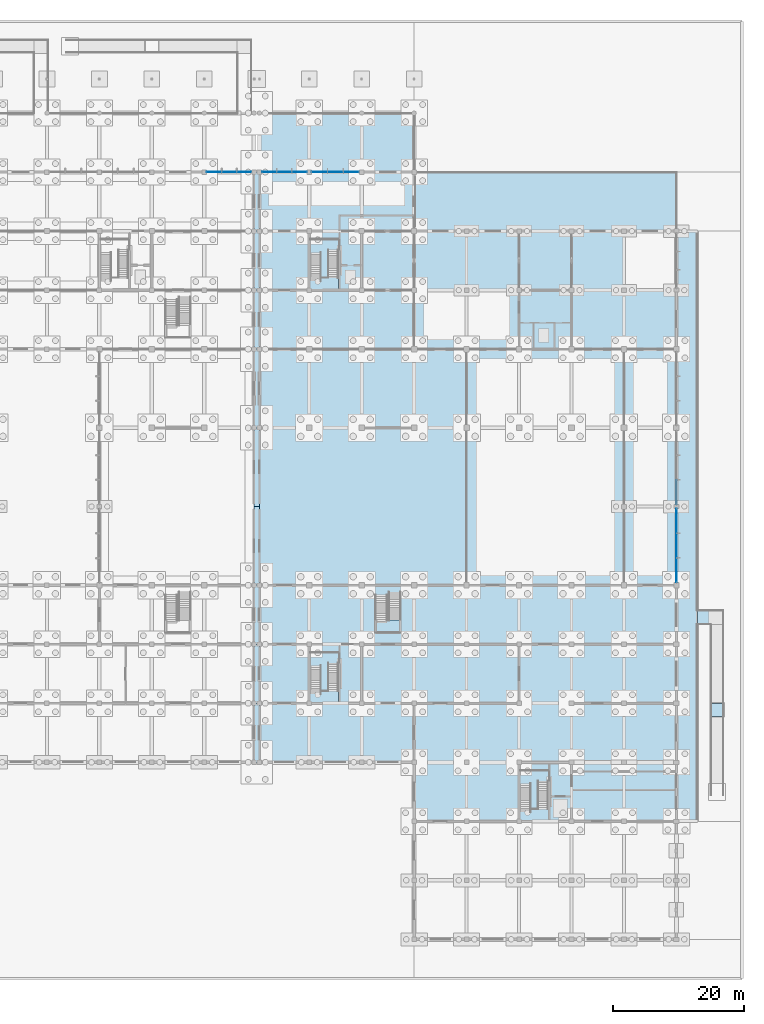
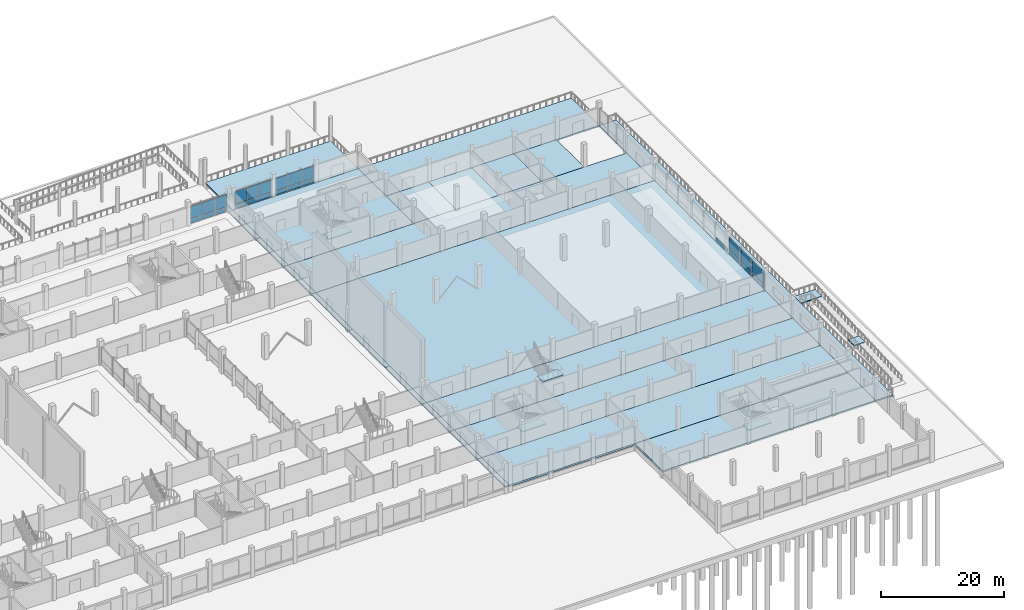
# One storey, part 38 of 72: 29 slabs, 25 plates, 10 elements without a shape of their own.
"""IFC4 building model written with IfcOpenShell, lengths in metres."""

from ifc_helpers import new_model, si_unit, direction, frame, origin, origin_2d, place, context, subcontext, project, spatial, polyline, rectangle, outline, extrude, material, layer, layer_set, type_object, element, aggregate, save


model = new_model("IFC4")

# Units and contexts
model_context = context("Model", 3, precision=1e-05, world=origin(), true_north=direction((0.0, 1.0)))
body_context = subcontext(model_context, "Body", "Model", "MODEL_VIEW")
ifc_project = project(units=[si_unit("LENGTHUNIT", "METRE"), si_unit("AREAUNIT", "SQUARE_METRE"), si_unit("VOLUMEUNIT", "CUBIC_METRE"), si_unit("PLANEANGLEUNIT", "RADIAN"), si_unit("MASSUNIT", "GRAM", prefix="KILO"), si_unit("THERMODYNAMICTEMPERATUREUNIT", "KELVIN"), si_unit("POWERUNIT", "WATT")], contexts=[model_context])

# Site, building, storey
site_placement = place(None, origin())
site = spatial("IfcSite", under=ifc_project, at=site_placement, CompositionType="ELEMENT")
building_placement = place(site_placement, origin())
building = spatial("IfcBuilding", under=site, at=building_placement, Name="Kronsvod Quay Wholesale Market", CompositionType="ELEMENT")
storey_placement = place(building_placement, origin())
storey = spatial("IfcBuildingStorey", under=building, at=storey_placement, Name="L00", CompositionType="ELEMENT", Elevation=0.0)

# Curtain wall, plates
ifc_material_1 = material(Name="Thermally broken aluminium and triple low-E glazing", Category="aluminium")
curtain_wall_type_1 = type_object("IfcCurtainWallType", Name="CW_Colonnade76x39", PredefinedType="NOTDEFINED", material=ifc_material_1)
curtain_wall_1_placement = place(storey_placement, origin())
curtain_wall_1 = element("IfcCurtainWall", 1, at=curtain_wall_1_placement, inside=storey, type_object=curtain_wall_type_1, Name="CWGX-L00-1200-1170", PredefinedType="NOTDEFINED")
ifc_material_2 = material(Name="Insulated aluminium spandrel panel", Category="aluminium")
ifc_layer_1 = layer(ifc_material_2, 0.048095703125)
ifc_layer_set_1 = layer_set([ifc_layer_1], Name="Insulated aluminium spandrel panel")
plate_type_1 = type_object("IfcPlateType", Name="CWPanel_SP2206x820", PredefinedType="CURTAIN_PANEL", material=ifc_layer_set_1)
plate_1_placement = place(storey_placement, frame((126.087158203125, 117.0, 0.1201171875), z_axis=(0.0, 0.0, 1.0), x_axis=(-1.0, 0.0, 0.0)))
plate_1 = element("IfcPlate", 2, at=plate_1_placement, type_object=plate_type_1, Name="CWGX-L00-1200-1170-PS1", PredefinedType="CURTAIN_PANEL", context=body_context, shape_type="SweptSolid", body=[
    extrude(rectangle(XDim=2.2060546875, YDim=0.048095703125, at=origin_2d()), origin(), (0.0, 0.0, 1.0), 0.820068359375),
])
plate_2_placement = place(storey_placement, frame((121.512939453125, 117.0, 0.1201171875), z_axis=(0.0, 0.0, 1.0), x_axis=(-1.0, 0.0, 0.0)))
plate_2 = element("IfcPlate", 3, at=plate_2_placement, type_object=plate_type_1, Name="CWGX-L00-1200-1170-PS3", PredefinedType="CURTAIN_PANEL", context=body_context, shape_type="SweptSolid", body=[
    extrude(rectangle(XDim=2.2060546875, YDim=0.048095703125, at=origin_2d()), origin(), (0.0, 0.0, 1.0), 0.820068359375),
])

curtain_wall_2_placement = place(storey_placement, origin())
curtain_wall_2 = element("IfcCurtainWall", 4, at=curtain_wall_2_placement, inside=storey, type_object=curtain_wall_type_1, Name="CWGX-L00-1284-1170", PredefinedType="NOTDEFINED")
plate_3_placement = place(storey_placement, frame((134.487060546875, 117.0, 0.1201171875), z_axis=(0.0, 0.0, 1.0), x_axis=(-1.0, 0.0, 0.0)))
plate_3 = element("IfcPlate", 5, at=plate_3_placement, type_object=plate_type_1, Name="CWGX-L00-1284-1170-PS1", PredefinedType="CURTAIN_PANEL", context=body_context, shape_type="SweptSolid", body=[
    extrude(rectangle(XDim=2.2060546875, YDim=0.048095703125, at=origin_2d()), origin(), (0.0, 0.0, 1.0), 0.820068359375),
])
plate_4_placement = place(storey_placement, frame((129.912841796875, 117.0, 0.1201171875), z_axis=(0.0, 0.0, 1.0), x_axis=(-1.0, 0.0, 0.0)))
plate_4 = element("IfcPlate", 6, at=plate_4_placement, type_object=plate_type_1, Name="CWGX-L00-1284-1170-PS3", PredefinedType="CURTAIN_PANEL", context=body_context, shape_type="SweptSolid", body=[
    extrude(rectangle(XDim=2.2060546875, YDim=0.048095703125, at=origin_2d()), origin(), (0.0, 0.0, 1.0), 0.820068359375),
])

# Plate
ifc_material_3 = material(Name="Insulated aluminium spandrel panel", Category="aluminium")
ifc_layer_2 = layer(ifc_material_3, 0.048095703125)
ifc_layer_set_2 = layer_set([ifc_layer_2], Name="Insulated aluminium spandrel panel")
plate_type_2 = type_object("IfcPlateType", Name="CWPanel_SP2238x820", PredefinedType="CURTAIN_PANEL", material=ifc_layer_set_2)
plate_5_placement = place(storey_placement, frame((123.800048828125, 117.0, 0.1201171875), z_axis=(0.0, 0.0, 1.0), x_axis=(-1.0, 0.0, 0.0)))
plate_5 = element("IfcPlate", 7, at=plate_5_placement, type_object=plate_type_2, Name="CWGX-L00-1200-1170-PS2", PredefinedType="CURTAIN_PANEL", context=body_context, shape_type="SweptSolid", body=[
    extrude(rectangle(XDim=2.238037109375, YDim=0.048095703125, at=origin_2d()), origin(), (0.0, 0.0, 1.0), 0.820068359375),
])

plate_6_placement = place(storey_placement, frame((132.199951171875, 117.0, 0.1201171875), z_axis=(0.0, 0.0, 1.0), x_axis=(-1.0, 0.0, 0.0)))
plate_6 = element("IfcPlate", 8, at=plate_6_placement, type_object=plate_type_2, Name="CWGX-L00-1284-1170-PS2", PredefinedType="CURTAIN_PANEL", context=body_context, shape_type="SweptSolid", body=[
    extrude(rectangle(XDim=2.238037109375, YDim=0.048095703125, at=origin_2d()), origin(), (0.0, 0.0, 1.0), 0.820068359375),
])

# Curtain wall, plates
ifc_material_4 = material(Name="Thermally broken aluminium and triple low-E glazing", Category="aluminium")
curtain_wall_type_2 = type_object("IfcCurtainWallType", Name="CW_Colonnade80x39", PredefinedType="NOTDEFINED", material=ifc_material_4)
curtain_wall_3_placement = place(storey_placement, origin())
curtain_wall_3 = element("IfcCurtainWall", 9, at=curtain_wall_3_placement, inside=storey, type_object=curtain_wall_type_2, Name="CWGX-L00-1360-1170", PredefinedType="NOTDEFINED")
ifc_material_5 = material(Name="Insulated aluminium spandrel panel", Category="aluminium")
ifc_layer_3 = layer(ifc_material_5, 0.048095703125)
ifc_layer_set_3 = layer_set([ifc_layer_3], Name="Insulated aluminium spandrel panel")
plate_type_3 = type_object("IfcPlateType", Name="CWPanel_SP2324x775", PredefinedType="CURTAIN_PANEL", material=ifc_layer_set_3)
plate_7_placement = place(storey_placement, frame((142.41796875, 117.0, 0.150146484375), z_axis=(0.0, 0.0, 1.0), x_axis=(-1.0, 0.0, 0.0)))
plate_7 = element("IfcPlate", 10, at=plate_7_placement, type_object=plate_type_3, Name="CWGX-L00-1360-1170-PS1", PredefinedType="CURTAIN_PANEL", context=body_context, shape_type="SweptSolid", body=[
    extrude(rectangle(XDim=2.323974609375, YDim=0.048095703125, at=origin_2d()), origin(), (0.0, 0.0, 1.0), 0.77490234375),
])
plate_8_placement = place(storey_placement, frame((137.58203125, 117.0, 0.150146484375), z_axis=(0.0, 0.0, 1.0), x_axis=(-1.0, 0.0, 0.0)))
plate_8 = element("IfcPlate", 11, at=plate_8_placement, type_object=plate_type_3, Name="CWGX-L00-1360-1170-PS3", PredefinedType="CURTAIN_PANEL", context=body_context, shape_type="SweptSolid", body=[
    extrude(rectangle(XDim=2.323974609375, YDim=0.048095703125, at=origin_2d()), origin(), (0.0, 0.0, 1.0), 0.77490234375),
])
ifc_material_6 = material(Name="Insulated aluminium spandrel panel", Category="aluminium")
ifc_layer_4 = layer(ifc_material_6, 0.048095703125)
ifc_layer_set_4 = layer_set([ifc_layer_4], Name="Insulated aluminium spandrel panel")
plate_type_4 = type_object("IfcPlateType", Name="CWPanel_SP2362x775", PredefinedType="CURTAIN_PANEL", material=ifc_layer_set_4)
plate_9_placement = place(storey_placement, frame((140.0, 117.0, 0.150146484375), z_axis=(0.0, 0.0, 1.0), x_axis=(-1.0, 0.0, 0.0)))
plate_9 = element("IfcPlate", 12, at=plate_9_placement, type_object=plate_type_4, Name="CWGX-L00-1360-1170-PS2", PredefinedType="CURTAIN_PANEL", context=body_context, shape_type="SweptSolid", body=[
    extrude(rectangle(XDim=2.362060546875, YDim=0.048095703125, at=origin_2d()), origin(), (0.0, 0.0, 1.0), 0.77490234375),
])

# Curtain wall, plate
ifc_material_7 = material(Name="Thermally broken aluminium and triple low-E glazing", Category="aluminium")
curtain_wall_type_3 = type_object("IfcCurtainWallType", Name="CW_Flower120x32", PredefinedType="NOTDEFINED", material=ifc_material_7)
curtain_wall_4_placement = place(storey_placement, origin())
curtain_wall_4 = element("IfcCurtainWall", 13, at=curtain_wall_4_placement, inside=storey, type_object=curtain_wall_type_3, Name="CWGY-L00-1920-660", PredefinedType="NOTDEFINED")
ifc_material_8 = material(Name="Insulated aluminium spandrel panel", Category="aluminium")
ifc_layer_5 = layer(ifc_material_8, 0.048095703125)
ifc_layer_set_5 = layer_set([ifc_layer_5], Name="Insulated aluminium spandrel panel")
plate_type_5 = type_object("IfcPlateType", Name="CWPanel_SP3649x775", PredefinedType="CURTAIN_PANEL", material=ifc_layer_set_5)
plate_10_placement = place(storey_placement, frame((192.0, 68.194580078125, 0.150146484375), z_axis=(0.0, 0.0, 1.0), x_axis=(0.0, 1.0, 0.0)))
plate_10 = element("IfcPlate", 14, at=plate_10_placement, type_object=plate_type_5, Name="CWGY-L00-1920-660-PS1", PredefinedType="CURTAIN_PANEL", context=body_context, shape_type="SweptSolid", body=[
    extrude(rectangle(XDim=3.64892578125, YDim=0.048095703125, at=origin_2d()), origin(), (0.0, 0.0, 1.0), 0.77490234375),
])
aggregate(curtain_wall_4, [plate_10])

# Curtain wall, plates
curtain_wall_5_placement = place(storey_placement, origin())
curtain_wall_5 = element("IfcCurtainWall", 15, at=curtain_wall_5_placement, inside=storey, type_object=curtain_wall_type_3, Name="CWGY-L00-1920-540", PredefinedType="NOTDEFINED")
ifc_material_9 = material(Name="Insulated aluminium spandrel panel", Category="aluminium")
ifc_layer_6 = layer(ifc_material_9, 0.048095703125)
ifc_layer_set_6 = layer_set([ifc_layer_6], Name="Insulated aluminium spandrel panel")
plate_type_6 = type_object("IfcPlateType", Name="CWPanel_SP3657x775", PredefinedType="CURTAIN_PANEL", material=ifc_layer_set_6)
plate_11_placement = place(storey_placement, frame((192.0, 56.298828125, 0.150146484375), z_axis=(0.0, 0.0, 1.0), x_axis=(0.0, 1.0, 0.0)))
plate_11 = element("IfcPlate", 16, at=plate_11_placement, type_object=plate_type_6, Name="CWGY-L00-1920-540-PS1", PredefinedType="CURTAIN_PANEL", context=body_context, shape_type="SweptSolid", body=[
    extrude(rectangle(XDim=3.656982421875, YDim=0.048095703125, at=origin_2d()), origin(), (0.0, 0.0, 1.0), 0.77490234375),
])
plate_12_placement = place(storey_placement, frame((192.0, 63.80126953125, 0.150146484375), z_axis=(0.0, 0.0, 1.0), x_axis=(0.0, 1.0, 0.0)))
plate_12 = element("IfcPlate", 17, at=plate_12_placement, type_object=plate_type_6, Name="CWGY-L00-1920-540-PS3", PredefinedType="CURTAIN_PANEL", context=body_context, shape_type="SweptSolid", body=[
    extrude(rectangle(XDim=3.656982421875, YDim=0.048095703125, at=origin_2d()), origin(), (0.0, 0.0, 1.0), 0.77490234375),
])
ifc_material_10 = material(Name="Insulated aluminium spandrel panel", Category="aluminium")
ifc_layer_7 = layer(ifc_material_10, 0.048095703125)
ifc_layer_set_7 = layer_set([ifc_layer_7], Name="Insulated aluminium spandrel panel")
plate_type_7 = type_object("IfcPlateType", Name="CWPanel_SP3695x775", PredefinedType="CURTAIN_PANEL", material=ifc_layer_set_7)
plate_13_placement = place(storey_placement, frame((192.0, 60.050048828125, 0.150146484375), z_axis=(0.0, 0.0, 1.0), x_axis=(0.0, 1.0, 0.0)))
plate_13 = element("IfcPlate", 18, at=plate_13_placement, type_object=plate_type_7, Name="CWGY-L00-1920-540-PS2", PredefinedType="CURTAIN_PANEL", context=body_context, shape_type="SweptSolid", body=[
    extrude(rectangle(XDim=3.695068359375, YDim=0.048095703125, at=origin_2d()), origin(), (0.0, 0.0, 1.0), 0.77490234375),
])

# Plate
ifc_material_11 = material(Name="Triple low-E insulated glazing", Category="glass")
ifc_layer_8 = layer(ifc_material_11, 0.0439453125)
ifc_layer_set_8 = layer_set([ifc_layer_8], Name="Triple low-E insulated glazing")
plate_type_8 = type_object("IfcPlateType", Name="CWPanel_VS2206x2470", PredefinedType="CURTAIN_PANEL", material=ifc_layer_set_8)
plate_14_placement = place(storey_placement, frame((126.087158203125, 117.0, 1.06005859375), z_axis=(0.0, 0.0, 1.0), x_axis=(-1.0, 0.0, 0.0)))
plate_14 = element("IfcPlate", 19, at=plate_14_placement, type_object=plate_type_8, Name="CWGX-L00-1200-1170-PV1", PredefinedType="CURTAIN_PANEL", context=body_context, shape_type="SweptSolid", body=[
    extrude(rectangle(XDim=2.2060546875, YDim=0.0439453125, at=origin_2d()), origin(), (0.0, 0.0, 1.0), 2.469970703125),
])

plate_15_placement = place(storey_placement, frame((121.512939453125, 117.0, 1.06005859375), z_axis=(0.0, 0.0, 1.0), x_axis=(-1.0, 0.0, 0.0)))
plate_15 = element("IfcPlate", 20, at=plate_15_placement, type_object=plate_type_8, Name="CWGX-L00-1200-1170-PV3", PredefinedType="CURTAIN_PANEL", context=body_context, shape_type="SweptSolid", body=[
    extrude(rectangle(XDim=2.2060546875, YDim=0.0439453125, at=origin_2d()), origin(), (0.0, 0.0, 1.0), 2.469970703125),
])

plate_16_placement = place(storey_placement, frame((134.487060546875, 117.0, 1.06005859375), z_axis=(0.0, 0.0, 1.0), x_axis=(-1.0, 0.0, 0.0)))
plate_16 = element("IfcPlate", 21, at=plate_16_placement, type_object=plate_type_8, Name="CWGX-L00-1284-1170-PV1", PredefinedType="CURTAIN_PANEL", context=body_context, shape_type="SweptSolid", body=[
    extrude(rectangle(XDim=2.2060546875, YDim=0.0439453125, at=origin_2d()), origin(), (0.0, 0.0, 1.0), 2.469970703125),
])

plate_17_placement = place(storey_placement, frame((129.912841796875, 117.0, 1.06005859375), z_axis=(0.0, 0.0, 1.0), x_axis=(-1.0, 0.0, 0.0)))
plate_17 = element("IfcPlate", 22, at=plate_17_placement, type_object=plate_type_8, Name="CWGX-L00-1284-1170-PV3", PredefinedType="CURTAIN_PANEL", context=body_context, shape_type="SweptSolid", body=[
    extrude(rectangle(XDim=2.2060546875, YDim=0.0439453125, at=origin_2d()), origin(), (0.0, 0.0, 1.0), 2.469970703125),
])

ifc_material_12 = material(Name="Triple low-E insulated glazing", Category="glass")
ifc_layer_9 = layer(ifc_material_12, 0.0439453125)
ifc_layer_set_9 = layer_set([ifc_layer_9], Name="Triple low-E insulated glazing")
plate_type_9 = type_object("IfcPlateType", Name="CWPanel_VS2238x2470", PredefinedType="CURTAIN_PANEL", material=ifc_layer_set_9)
plate_18_placement = place(storey_placement, frame((123.800048828125, 117.0, 1.06005859375), z_axis=(0.0, 0.0, 1.0), x_axis=(-1.0, 0.0, 0.0)))
plate_18 = element("IfcPlate", 23, at=plate_18_placement, type_object=plate_type_9, Name="CWGX-L00-1200-1170-PV2", PredefinedType="CURTAIN_PANEL", context=body_context, shape_type="SweptSolid", body=[
    extrude(rectangle(XDim=2.238037109375, YDim=0.0439453125, at=origin_2d()), origin(), (0.0, 0.0, 1.0), 2.469970703125),
])

aggregate(curtain_wall_1, [plate_1, plate_14, plate_5, plate_18, plate_2, plate_15])

plate_19_placement = place(storey_placement, frame((132.199951171875, 117.0, 1.06005859375), z_axis=(0.0, 0.0, 1.0), x_axis=(-1.0, 0.0, 0.0)))
plate_19 = element("IfcPlate", 24, at=plate_19_placement, type_object=plate_type_9, Name="CWGX-L00-1284-1170-PV2", PredefinedType="CURTAIN_PANEL", context=body_context, shape_type="SweptSolid", body=[
    extrude(rectangle(XDim=2.238037109375, YDim=0.0439453125, at=origin_2d()), origin(), (0.0, 0.0, 1.0), 2.469970703125),
])

aggregate(curtain_wall_2, [plate_3, plate_16, plate_6, plate_19, plate_4, plate_17])

ifc_material_13 = material(Name="Triple low-E insulated glazing", Category="glass")
ifc_layer_10 = layer(ifc_material_13, 0.0439453125)
ifc_layer_set_10 = layer_set([ifc_layer_10], Name="Triple low-E insulated glazing")
plate_type_10 = type_object("IfcPlateType", Name="CWPanel_VS2324x2425", PredefinedType="CURTAIN_PANEL", material=ifc_layer_set_10)
plate_20_placement = place(storey_placement, frame((142.41796875, 117.0, 1.0751953125), z_axis=(0.0, 0.0, 1.0), x_axis=(-1.0, 0.0, 0.0)))
plate_20 = element("IfcPlate", 25, at=plate_20_placement, type_object=plate_type_10, Name="CWGX-L00-1360-1170-PV1", PredefinedType="CURTAIN_PANEL", context=body_context, shape_type="SweptSolid", body=[
    extrude(rectangle(XDim=2.323974609375, YDim=0.0439453125, at=origin_2d()), origin(), (0.0, 0.0, 1.0), 2.425048828125),
])

plate_21_placement = place(storey_placement, frame((137.58203125, 117.0, 1.0751953125), z_axis=(0.0, 0.0, 1.0), x_axis=(-1.0, 0.0, 0.0)))
plate_21 = element("IfcPlate", 26, at=plate_21_placement, type_object=plate_type_10, Name="CWGX-L00-1360-1170-PV3", PredefinedType="CURTAIN_PANEL", context=body_context, shape_type="SweptSolid", body=[
    extrude(rectangle(XDim=2.323974609375, YDim=0.0439453125, at=origin_2d()), origin(), (0.0, 0.0, 1.0), 2.425048828125),
])

ifc_material_14 = material(Name="Triple low-E insulated glazing", Category="glass")
ifc_layer_11 = layer(ifc_material_14, 0.0439453125)
ifc_layer_set_11 = layer_set([ifc_layer_11], Name="Triple low-E insulated glazing")
plate_type_11 = type_object("IfcPlateType", Name="CWPanel_VS2362x2425", PredefinedType="CURTAIN_PANEL", material=ifc_layer_set_11)
plate_22_placement = place(storey_placement, frame((140.0, 117.0, 1.0751953125), z_axis=(0.0, 0.0, 1.0), x_axis=(-1.0, 0.0, 0.0)))
plate_22 = element("IfcPlate", 27, at=plate_22_placement, type_object=plate_type_11, Name="CWGX-L00-1360-1170-PV2", PredefinedType="CURTAIN_PANEL", context=body_context, shape_type="SweptSolid", body=[
    extrude(rectangle(XDim=2.362060546875, YDim=0.0439453125, at=origin_2d()), origin(), (0.0, 0.0, 1.0), 2.425048828125),
])

aggregate(curtain_wall_3, [plate_7, plate_20, plate_9, plate_22, plate_8, plate_21])

ifc_material_15 = material(Name="Triple low-E insulated glazing", Category="glass")
ifc_layer_12 = layer(ifc_material_15, 0.0439453125)
ifc_layer_set_12 = layer_set([ifc_layer_12], Name="Triple low-E insulated glazing")
plate_type_12 = type_object("IfcPlateType", Name="CWPanel_VS3657x2425", PredefinedType="CURTAIN_PANEL", material=ifc_layer_set_12)
plate_23_placement = place(storey_placement, frame((192.0, 56.298828125, 1.0751953125), z_axis=(0.0, 0.0, 1.0), x_axis=(0.0, 1.0, 0.0)))
plate_23 = element("IfcPlate", 28, at=plate_23_placement, type_object=plate_type_12, Name="CWGY-L00-1920-540-PV1", PredefinedType="CURTAIN_PANEL", context=body_context, shape_type="SweptSolid", body=[
    extrude(rectangle(XDim=3.656982421875, YDim=0.0439453125, at=origin_2d()), origin(), (0.0, 0.0, 1.0), 2.425048828125),
])

plate_24_placement = place(storey_placement, frame((192.0, 63.80126953125, 1.0751953125), z_axis=(0.0, 0.0, 1.0), x_axis=(0.0, 1.0, 0.0)))
plate_24 = element("IfcPlate", 29, at=plate_24_placement, type_object=plate_type_12, Name="CWGY-L00-1920-540-PV3", PredefinedType="CURTAIN_PANEL", context=body_context, shape_type="SweptSolid", body=[
    extrude(rectangle(XDim=3.656982421875, YDim=0.0439453125, at=origin_2d()), origin(), (0.0, 0.0, 1.0), 2.425048828125),
])

ifc_material_16 = material(Name="Triple low-E insulated glazing", Category="glass")
ifc_layer_13 = layer(ifc_material_16, 0.0439453125)
ifc_layer_set_13 = layer_set([ifc_layer_13], Name="Triple low-E insulated glazing")
plate_type_13 = type_object("IfcPlateType", Name="CWPanel_VS3695x2425", PredefinedType="CURTAIN_PANEL", material=ifc_layer_set_13)
plate_25_placement = place(storey_placement, frame((192.0, 60.050048828125, 1.0751953125), z_axis=(0.0, 0.0, 1.0), x_axis=(0.0, 1.0, 0.0)))
plate_25 = element("IfcPlate", 30, at=plate_25_placement, type_object=plate_type_13, Name="CWGY-L00-1920-540-PV2", PredefinedType="CURTAIN_PANEL", context=body_context, shape_type="SweptSolid", body=[
    extrude(rectangle(XDim=3.695068359375, YDim=0.0439453125, at=origin_2d()), origin(), (0.0, 0.0, 1.0), 2.425048828125),
])

aggregate(curtain_wall_5, [plate_11, plate_23, plate_13, plate_25, plate_12, plate_24])

# Slabs
ifc_material_17 = material(Name="Concrete C35/45", Category="concrete")
ifc_layer_14 = layer(ifc_material_17, 0.320068359375)
ifc_layer_set_14 = layer_set([ifc_layer_14], Name="Concrete C35/45")
slab_type_1 = type_object("IfcSlabType", Name="Slab_Base320", PredefinedType="BASESLAB", material=ifc_layer_set_14)
slab_1_placement = place(storey_placement, frame((0.0, 0.0, -0.320068359375)))
element("IfcSlab", 31, at=slab_1_placement, inside=storey, type_object=slab_type_1, Name="SLB-L00-026", PredefinedType="BASESLAB", context=body_context, shape_type="SweptSolid", body=[
    extrude(outline(polyline([(128.419921875, 45.0), (192.0, 45.0), (192.0, 54.0), (128.419921875, 54.0), (128.419921875, 45.0)])), origin(), (0.0, 0.0, 1.0), 0.320068359375),
])
slab_2_placement = place(storey_placement, frame((0.0, 0.0, -0.320068359375)))
element("IfcSlab", 32, at=slab_2_placement, inside=storey, type_object=slab_type_1, Name="SLB-L00-027", PredefinedType="BASESLAB", context=body_context, shape_type="SweptSolid", body=[
    extrude(outline(polyline([(128.419921875, 54.0), (192.0, 54.0), (192.0, 90.0), (128.419921875, 90.0), (128.419921875, 54.0)])), origin(), (0.0, 0.0, 1.0), 0.320068359375),
])
slab_3_placement = place(storey_placement, frame((0.0, 0.0, -0.320068359375)))
element("IfcSlab", 33, at=slab_3_placement, inside=storey, type_object=slab_type_1, Name="SLB-L00-028", PredefinedType="BASESLAB", context=body_context, shape_type="SweptSolid", body=[
    extrude(outline(polyline([(128.419921875, 90.0), (192.0, 90.0), (192.0, 99.0), (128.419921875, 99.0), (128.419921875, 90.0)])), origin(), (0.0, 0.0, 1.0), 0.320068359375),
])
slab_4_placement = place(storey_placement, frame((0.0, 0.0, -0.320068359375)))
element("IfcSlab", 34, at=slab_4_placement, inside=storey, type_object=slab_type_1, Name="SLB-L00-029", PredefinedType="BASESLAB", context=body_context, shape_type="SweptSolid", body=[
    extrude(outline(polyline([(128.419921875, 99.0), (152.0, 99.0), (152.0, 117.0), (128.419921875, 117.0), (128.419921875, 99.0)])), origin(), (0.0, 0.0, 1.0), 0.320068359375),
])
slab_5_placement = place(storey_placement, frame((0.0, 0.0, -0.320068359375)))
element("IfcSlab", 35, at=slab_5_placement, inside=storey, type_object=slab_type_1, Name="SLB-L00-030", PredefinedType="BASESLAB", context=body_context, shape_type="SweptSolid", body=[
    extrude(outline(polyline([(152.0, 99.0), (160.0, 99.0), (160.0, 108.0), (152.0, 108.0), (152.0, 99.0)])), origin(), (0.0, 0.0, 1.0), 0.320068359375),
])
slab_6_placement = place(storey_placement, frame((0.0, 0.0, -0.320068359375)))
element("IfcSlab", 36, at=slab_6_placement, inside=storey, type_object=slab_type_1, Name="SLB-L00-031", PredefinedType="BASESLAB", context=body_context, shape_type="SweptSolid", body=[
    extrude(outline(polyline([(160.0, 99.0), (168.0, 99.0), (168.0, 108.0), (160.0, 108.0), (160.0, 99.0)])), origin(), (0.0, 0.0, 1.0), 0.320068359375),
])
slab_7_placement = place(storey_placement, frame((0.0, 0.0, -0.320068359375)))
element("IfcSlab", 37, at=slab_7_placement, inside=storey, type_object=slab_type_1, Name="SLB-L00-032", PredefinedType="BASESLAB", context=body_context, shape_type="SweptSolid", body=[
    extrude(outline(polyline([(168.0, 99.0), (176.0, 99.0), (176.0, 108.0), (168.0, 108.0), (168.0, 99.0)])), origin(), (0.0, 0.0, 1.0), 0.320068359375),
])
slab_8_placement = place(storey_placement, frame((0.0, 0.0, -0.320068359375)))
element("IfcSlab", 38, at=slab_8_placement, inside=storey, type_object=slab_type_1, Name="SLB-L00-033", PredefinedType="BASESLAB", context=body_context, shape_type="SweptSolid", body=[
    extrude(outline(polyline([(176.0, 99.0), (184.0, 99.0), (184.0, 108.0), (176.0, 108.0), (176.0, 99.0)])), origin(), (0.0, 0.0, 1.0), 0.320068359375),
])
ifc_material_18 = material(Name="Concrete C35/45", Category="concrete")
ifc_layer_15 = layer(ifc_material_18, 0.3798828125)
ifc_layer_set_15 = layer_set([ifc_layer_15], Name="Concrete C35/45")
slab_type_2 = type_object("IfcSlabType", Name="Slab_BaseCold380", PredefinedType="BASESLAB", material=ifc_layer_set_15)
slab_9_placement = place(storey_placement, frame((0.0, 0.0, -0.3798828125)))
element("IfcSlab", 39, at=slab_9_placement, inside=storey, type_object=slab_type_2, Name="SLB-L00-025", PredefinedType="BASESLAB", context=body_context, shape_type="SweptSolid", body=[
    extrude(outline(polyline([(128.419921875, 36.0), (192.0, 36.0), (192.0, 45.0), (128.419921875, 45.0), (128.419921875, 36.0)])), origin(), (0.0, 0.0, 1.0), 0.3798828125),
])
ifc_material_19 = material(Name="Concrete C35/45", Category="concrete")
ifc_layer_16 = layer(ifc_material_19, 0.280029296875)
ifc_layer_set_16 = layer_set([ifc_layer_16], Name="Concrete C35/45")
slab_type_3 = type_object("IfcSlabType", Name="Slab_BaseColonnade280", PredefinedType="BASESLAB", material=ifc_layer_set_16)
slab_10_placement = place(storey_placement, frame((0.0, 0.0, -0.280029296875)))
element("IfcSlab", 40, at=slab_10_placement, inside=storey, type_object=slab_type_3, Name="SLB-L00-035", PredefinedType="BASESLAB", context=body_context, shape_type="SweptSolid", body=[
    extrude(outline(polyline([(128.419921875, 117.0), (152.0, 117.0), (152.0, 126.0), (128.419921875, 126.0), (128.419921875, 117.0)])), origin(), (0.0, 0.0, 1.0), 0.280029296875),
])
slab_11_placement = place(storey_placement, frame((0.0, 0.0, -0.280029296875)))
element("IfcSlab", 41, at=slab_11_placement, inside=storey, type_object=slab_type_3, Name="SLB-EXT-E", PredefinedType="BASESLAB", context=body_context, shape_type="SweptSolid", body=[
    extrude(outline(polyline([(192.0, 18.0), (195.199951171875, 18.0), (195.199951171875, 108.0), (192.0, 108.0), (192.0, 18.0)])), origin(), (0.0, 0.0, 1.0), 0.280029296875),
])
slab_12_placement = place(storey_placement, frame((0.0, 0.0, -0.280029296875)))
element("IfcSlab", 42, at=slab_12_placement, inside=storey, type_object=slab_type_3, Name="SLB-EXT-NE", PredefinedType="BASESLAB", context=body_context, shape_type="SweptSolid", body=[
    extrude(outline(polyline([(152.0, 108.0), (192.0, 108.0), (192.0, 117.0), (152.0, 117.0), (152.0, 108.0)])), origin(), (0.0, 0.0, 1.0), 0.280029296875),
])
ifc_material_20 = material(Name="Concrete C35/45", Category="concrete")
ifc_layer_17 = layer(ifc_material_20, 0.35009765625)
ifc_layer_set_17 = layer_set([ifc_layer_17], Name="Concrete C35/45")
slab_type_4 = type_object("IfcSlabType", Name="Slab_BaseDock350", PredefinedType="BASESLAB", material=ifc_layer_set_17)
slab_13_placement = place(storey_placement, frame((0.0, 0.0, -0.35009765625)))
element("IfcSlab", 43, at=slab_13_placement, inside=storey, type_object=slab_type_4, Name="SLB-L00-023", PredefinedType="BASESLAB", context=body_context, shape_type="SweptSolid", body=[
    extrude(outline(polyline([(152.0, 18.0), (192.0, 18.0), (192.0, 27.0), (152.0, 27.0), (152.0, 18.0)])), origin(), (0.0, 0.0, 1.0), 0.35009765625),
])
slab_14_placement = place(storey_placement, frame((0.0, 0.0, -0.35009765625)))
element("IfcSlab", 44, at=slab_14_placement, inside=storey, type_object=slab_type_4, Name="SLB-L00-024", PredefinedType="BASESLAB", context=body_context, shape_type="SweptSolid", body=[
    extrude(outline(polyline([(128.419921875, 27.0), (192.0, 27.0), (192.0, 36.0), (128.419921875, 36.0), (128.419921875, 27.0)])), origin(), (0.0, 0.0, 1.0), 0.35009765625),
])
ifc_material_21 = material(Name="Concrete C35/45", Category="concrete")
ifc_layer_18 = layer(ifc_material_21, 0.2451171875)
ifc_layer_set_18 = layer_set([ifc_layer_18], Name="Concrete C35/45")
slab_type_5 = type_object("IfcSlabType", Name="Slab_JointBridge245", PredefinedType="FLOOR", material=ifc_layer_set_18)
slab_15_placement = place(storey_placement, frame((0.0, 0.0, -0.2451171875)))
element("IfcSlab", 45, at=slab_15_placement, inside=storey, type_object=slab_type_5, Name="SLB-MJ-L00-J2-27", PredefinedType="FLOOR", context=body_context, shape_type="SweptSolid", body=[
    extrude(outline(polyline([(127.580078125, 27.0), (128.419921875, 27.0), (128.419921875, 36.0), (127.580078125, 36.0), (127.580078125, 27.0)])), origin(), (0.0, 0.0, 1.0), 0.2451171875),
])
slab_16_placement = place(storey_placement, frame((0.0, 0.0, -0.2451171875)))
element("IfcSlab", 46, at=slab_16_placement, inside=storey, type_object=slab_type_5, Name="SLB-MJ-L00-J2-36", PredefinedType="FLOOR", context=body_context, shape_type="SweptSolid", body=[
    extrude(outline(polyline([(127.580078125, 36.0), (128.419921875, 36.0), (128.419921875, 45.0), (127.580078125, 45.0), (127.580078125, 36.0)])), origin(), (0.0, 0.0, 1.0), 0.2451171875),
])
slab_17_placement = place(storey_placement, frame((0.0, 0.0, -0.2451171875)))
element("IfcSlab", 47, at=slab_17_placement, inside=storey, type_object=slab_type_5, Name="SLB-MJ-L00-J2-45", PredefinedType="FLOOR", context=body_context, shape_type="SweptSolid", body=[
    extrude(outline(polyline([(127.580078125, 45.0), (128.419921875, 45.0), (128.419921875, 54.0), (127.580078125, 54.0), (127.580078125, 45.0)])), origin(), (0.0, 0.0, 1.0), 0.2451171875),
])
slab_18_placement = place(storey_placement, frame((0.0, 0.0, -0.2451171875)))
element("IfcSlab", 48, at=slab_18_placement, inside=storey, type_object=slab_type_5, Name="SLB-MJ-L00-J2-54", PredefinedType="FLOOR", context=body_context, shape_type="SweptSolid", body=[
    extrude(outline(polyline([(127.580078125, 54.0), (128.419921875, 54.0), (128.419921875, 66.0), (127.580078125, 66.0), (127.580078125, 54.0)])), origin(), (0.0, 0.0, 1.0), 0.2451171875),
])
slab_19_placement = place(storey_placement, frame((0.0, 0.0, -0.2451171875)))
element("IfcSlab", 49, at=slab_19_placement, inside=storey, type_object=slab_type_5, Name="SLB-MJ-L00-J2-66", PredefinedType="FLOOR", context=body_context, shape_type="SweptSolid", body=[
    extrude(outline(polyline([(127.580078125, 66.0), (128.419921875, 66.0), (128.419921875, 78.0), (127.580078125, 78.0), (127.580078125, 66.0)])), origin(), (0.0, 0.0, 1.0), 0.2451171875),
])
slab_20_placement = place(storey_placement, frame((0.0, 0.0, -0.2451171875)))
element("IfcSlab", 50, at=slab_20_placement, inside=storey, type_object=slab_type_5, Name="SLB-MJ-L00-J2-78", PredefinedType="FLOOR", context=body_context, shape_type="SweptSolid", body=[
    extrude(outline(polyline([(127.580078125, 78.0), (128.419921875, 78.0), (128.419921875, 90.0), (127.580078125, 90.0), (127.580078125, 78.0)])), origin(), (0.0, 0.0, 1.0), 0.2451171875),
])
slab_21_placement = place(storey_placement, frame((0.0, 0.0, -0.2451171875)))
element("IfcSlab", 51, at=slab_21_placement, inside=storey, type_object=slab_type_5, Name="SLB-MJ-L00-J2-90", PredefinedType="FLOOR", context=body_context, shape_type="SweptSolid", body=[
    extrude(outline(polyline([(127.580078125, 90.0), (128.419921875, 90.0), (128.419921875, 99.0), (127.580078125, 99.0), (127.580078125, 90.0)])), origin(), (0.0, 0.0, 1.0), 0.2451171875),
])
slab_22_placement = place(storey_placement, frame((0.0, 0.0, -0.2451171875)))
element("IfcSlab", 52, at=slab_22_placement, inside=storey, type_object=slab_type_5, Name="SLB-MJ-L00-J2-99", PredefinedType="FLOOR", context=body_context, shape_type="SweptSolid", body=[
    extrude(outline(polyline([(127.580078125, 99.0), (128.419921875, 99.0), (128.419921875, 108.0), (127.580078125, 108.0), (127.580078125, 99.0)])), origin(), (0.0, 0.0, 1.0), 0.2451171875),
])
slab_23_placement = place(storey_placement, frame((0.0, 0.0, -0.2451171875)))
element("IfcSlab", 53, at=slab_23_placement, inside=storey, type_object=slab_type_5, Name="SLB-MJ-L00-J2-108", PredefinedType="FLOOR", context=body_context, shape_type="SweptSolid", body=[
    extrude(outline(polyline([(127.580078125, 108.0), (128.419921875, 108.0), (128.419921875, 117.0), (127.580078125, 117.0), (127.580078125, 108.0)])), origin(), (0.0, 0.0, 1.0), 0.2451171875),
])

# Ramp, slabs
ifc_material_22 = material(Name="Concrete C35/45", Category="concrete")
ramp_type = type_object("IfcRampType", Name="Ramp_Accessible1to20", PredefinedType="STRAIGHT_RUN_RAMP", material=ifc_material_22)
ramp_placement = place(storey_placement, origin())
ramp = element("IfcRamp", 54, at=ramp_placement, inside=storey, type_object=ramp_type, Name="RMP-E01", PredefinedType="STRAIGHT_RUN_RAMP")
ifc_material_23 = material(Name="Concrete C35/45", Category="concrete")
ifc_layer_19 = layer(ifc_material_23, 0.219970703125)
ifc_layer_set_19 = layer_set([ifc_layer_19], Name="Concrete C35/45")
slab_type_6 = type_object("IfcSlabType", Name="Slab_RampLanding220", PredefinedType="LANDING", material=ifc_layer_set_19)
slab_24_placement = place(storey_placement, frame((0.0, 0.0, -0.820068359375)))
slab_24 = element("IfcSlab", 55, at=slab_24_placement, type_object=slab_type_6, Name="RMP-E01-LND", PredefinedType="LANDING", context=body_context, shape_type="SweptSolid", body=[
    extrude(outline(polyline([(199.199951171875, 34.0), (199.199951171875, 36.0), (197.199951171875, 36.0), (197.199951171875, 34.0), (199.199951171875, 34.0)])), origin(), (0.0, 0.0, 1.0), 0.219970703125),
])
slab_25_placement = place(storey_placement, frame((0.0, 0.0, -0.219970703125)))
slab_25 = element("IfcSlab", 56, at=slab_25_placement, type_object=slab_type_6, Name="RMP-E01-TOP", PredefinedType="LANDING", context=body_context, shape_type="SweptSolid", body=[
    extrude(outline(polyline([(195.199951171875, 48.0), (199.199951171875, 48.0), (199.199951171875, 50.199951171875), (195.199951171875, 50.199951171875), (195.199951171875, 48.0)])), origin(), (0.0, 0.0, 1.0), 0.219970703125),
])
aggregate(ramp, [slab_24, slab_25])

# Stair, slab
ifc_material_24 = material(Name="Concrete C35/45", Category="concrete")
stair_type_1 = type_object("IfcStairType", Name="Stair_CoreL00_32R", PredefinedType="HALF_TURN_STAIR", material=ifc_material_24)
stair_1_placement = place(storey_placement, origin())
stair_1 = element("IfcStair", 57, at=stair_1_placement, inside=storey, type_object=stair_type_1, Name="ST05-L00", PredefinedType="HALF_TURN_STAIR")
ifc_material_25 = material(Name="Concrete C35/45", Category="concrete")
ifc_layer_20 = layer(ifc_material_25, 0.199951171875)
ifc_layer_set_20 = layer_set([ifc_layer_20], Name="Concrete C35/45")
slab_type_7 = type_object("IfcSlabType", Name="Slab_StairLanding200", PredefinedType="LANDING", material=ifc_layer_set_20)
slab_26_placement = place(storey_placement, frame((0.0, 0.0, 2.199951171875)))
slab_26 = element("IfcSlab", 58, at=slab_26_placement, type_object=slab_type_7, Name="ST05-L00-LND", PredefinedType="LANDING", context=body_context, shape_type="SweptSolid", body=[
    extrude(outline(polyline([(136.1201171875, 36.1201171875), (140.5, 36.1201171875), (140.5, 37.909912109375), (136.1201171875, 37.909912109375), (136.1201171875, 36.1201171875)])), origin(), (0.0, 0.0, 1.0), 0.199951171875),
])
aggregate(stair_1, [slab_26])

stair_2_placement = place(storey_placement, origin())
stair_2 = element("IfcStair", 59, at=stair_2_placement, inside=storey, type_object=stair_type_1, Name="ST06-L00", PredefinedType="HALF_TURN_STAIR")
slab_27_placement = place(storey_placement, frame((0.0, 0.0, 2.199951171875)))
slab_27 = element("IfcSlab", 60, at=slab_27_placement, type_object=slab_type_7, Name="ST06-L00-LND", PredefinedType="LANDING", context=body_context, shape_type="SweptSolid", body=[
    extrude(outline(polyline([(168.1201171875, 18.1201171875), (172.5, 18.1201171875), (172.5, 19.909912109375), (168.1201171875, 19.909912109375), (168.1201171875, 18.1201171875)])), origin(), (0.0, 0.0, 1.0), 0.199951171875),
])
aggregate(stair_2, [slab_27])

stair_3_placement = place(storey_placement, origin())
stair_3 = element("IfcStair", 61, at=stair_3_placement, inside=storey, type_object=stair_type_1, Name="ST10-L00", PredefinedType="HALF_TURN_STAIR")
slab_28_placement = place(storey_placement, frame((0.0, 0.0, 2.199951171875)))
slab_28 = element("IfcSlab", 62, at=slab_28_placement, type_object=slab_type_7, Name="ST10-L00-LND", PredefinedType="LANDING", context=body_context, shape_type="SweptSolid", body=[
    extrude(outline(polyline([(136.1201171875, 99.1201171875), (140.5, 99.1201171875), (140.5, 100.909912109375), (136.1201171875, 100.909912109375), (136.1201171875, 99.1201171875)])), origin(), (0.0, 0.0, 1.0), 0.199951171875),
])
aggregate(stair_3, [slab_28])

ifc_material_26 = material(Name="Concrete C35/45", Category="concrete")
stair_type_2 = type_object("IfcStairType", Name="Stair_Concourse32R", PredefinedType="HALF_TURN_STAIR", material=ifc_material_26)
stair_4_placement = place(storey_placement, origin())
stair_4 = element("IfcStair", 63, at=stair_4_placement, inside=storey, type_object=stair_type_2, Name="ST-GAL-E2", PredefinedType="HALF_TURN_STAIR")
slab_29_placement = place(storey_placement, frame((0.0, 0.0, 2.199951171875)))
slab_29 = element("IfcSlab", 64, at=slab_29_placement, type_object=slab_type_7, Name="ST-GAL-E2-LND", PredefinedType="LANDING", context=body_context, shape_type="SweptSolid", body=[
    extrude(outline(polyline([(146.050048828125, 46.75), (149.949951171875, 46.75), (149.949951171875, 48.679931640625), (146.050048828125, 48.679931640625), (146.050048828125, 46.75)])), origin(), (0.0, 0.0, 1.0), 0.199951171875),
])
aggregate(stair_4, [slab_29])

save(model, "model.ifc")
